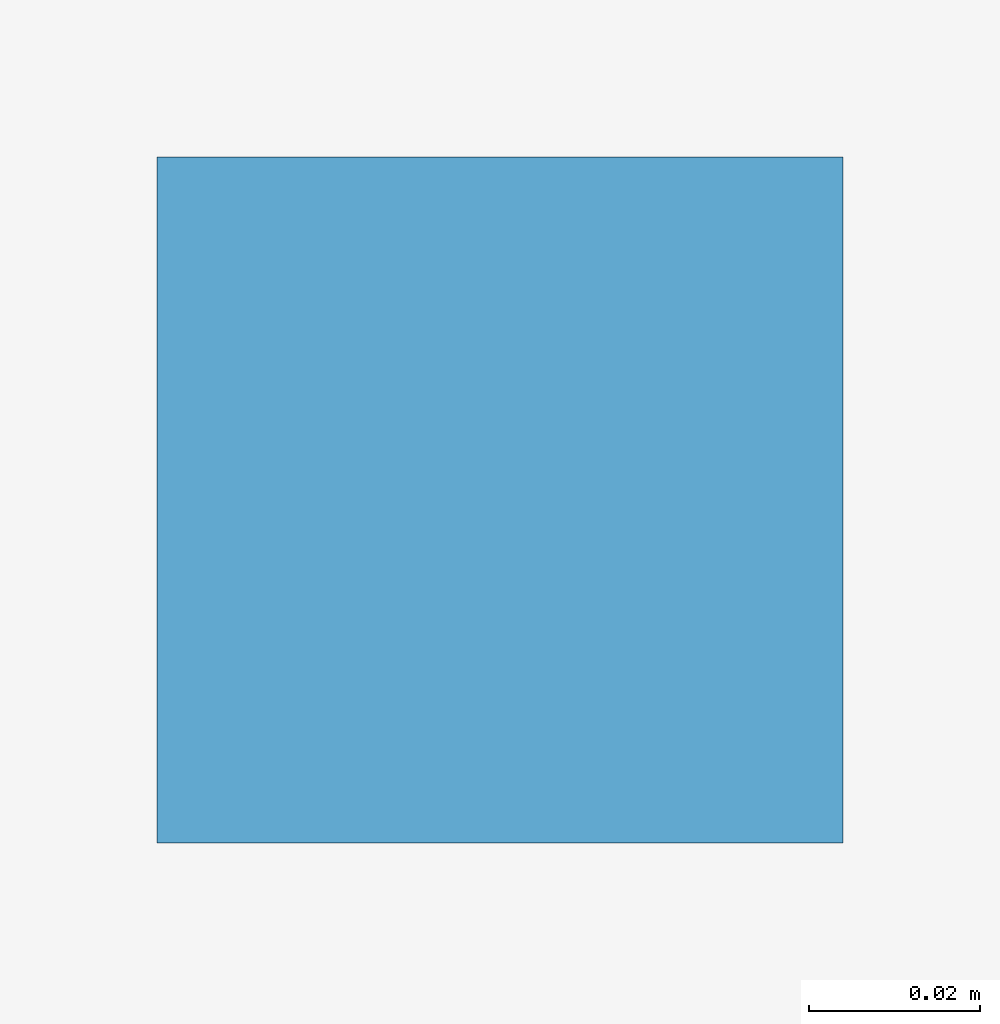
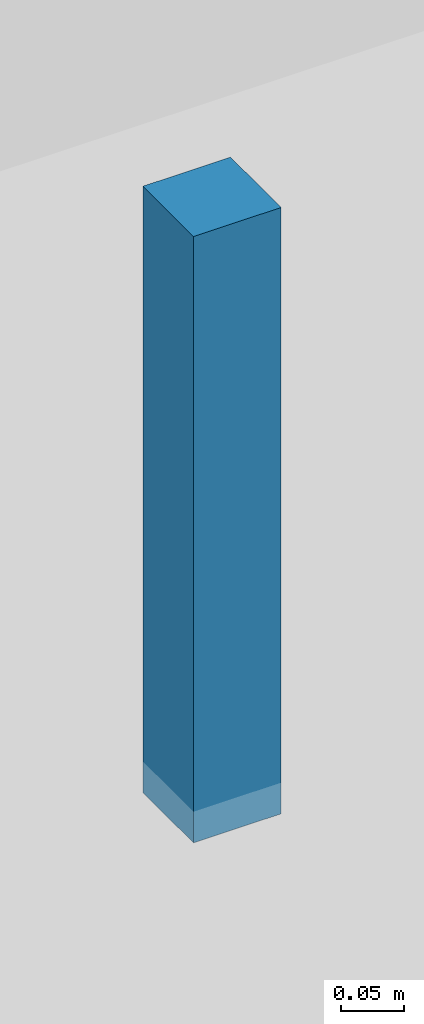
# One storey, part 12 of 16: 1 discrete accessory.
"""IFC4 building model written with IfcOpenShell, lengths in metres."""

from ifc_helpers import new_model, si_unit, direction, frame, origin, origin_2d, place, context, subcontext, project, spatial, rectangle, extrude, source, transform, mapped, material, type_object, element, save


model = new_model("IFC4")

# Units and contexts
model_context = context("Model", 3, precision=1e-05, world=origin(), true_north=direction((0.0, 1.0)))
body_context = subcontext(model_context, "Body", "Model", "MODEL_VIEW")
ifc_project = project(units=[si_unit("LENGTHUNIT", "METRE"), si_unit("AREAUNIT", "SQUARE_METRE"), si_unit("VOLUMEUNIT", "CUBIC_METRE"), si_unit("PLANEANGLEUNIT", "RADIAN"), si_unit("MASSUNIT", "GRAM", prefix="KILO")], contexts=[model_context])

# Site, building, storey
site_placement = place(None, origin())
site = spatial("IfcSite", under=ifc_project, at=site_placement, CompositionType="ELEMENT")
building_placement = place(site_placement, origin())
building = spatial("IfcBuilding", under=site, at=building_placement, Name="Giltprow Tower", CompositionType="ELEMENT")
storey_placement = place(building_placement, frame((0.0, 0.0, 230.39990234375)))
storey = spatial("IfcBuildingStorey", under=building, at=storey_placement, Name="L58", CompositionType="ELEMENT", Elevation=230.39990234375)

# Discrete accessory
ifc_material = material(Name="Structural steel Q355B", Category="steel")
discrete_accessory_type = type_object("IfcDiscreteAccessoryType", Name="ACC-CLG-HANGER", PredefinedType="BRACKET", material=ifc_material)
shared_shape = source(origin(), body_context, "Body", "SweptSolid", [
    extrude(rectangle(XDim=0.080078125, YDim=0.080078125, at=origin_2d()), origin(), (0.0, 0.0, 1.0), 0.5849609375),
])
discrete_accessory_placement = place(storey_placement, frame((35.0, 36.14990234375, 2.61962890625), z_axis=(0.0, 0.0, 1.0), x_axis=(1.0, 0.0, 0.0)))
element("IfcDiscreteAccessory", 1, at=discrete_accessory_placement, inside=storey, type_object=discrete_accessory_type, Name="L58 Residence Gallery Ceiling Suspension Hanger", PredefinedType="BRACKET", context=body_context, shape_type="MappedRepresentation", body=[
    mapped(shared_shape, transform((0.0, 0.0, 0.0), x_axis=(1.0, 0.0, 0.0), y_axis=(0.0, 1.0, 0.0), z_axis=(0.0, 0.0, 1.0), scale=1.0)),
])

save(model, "model.ifc")
